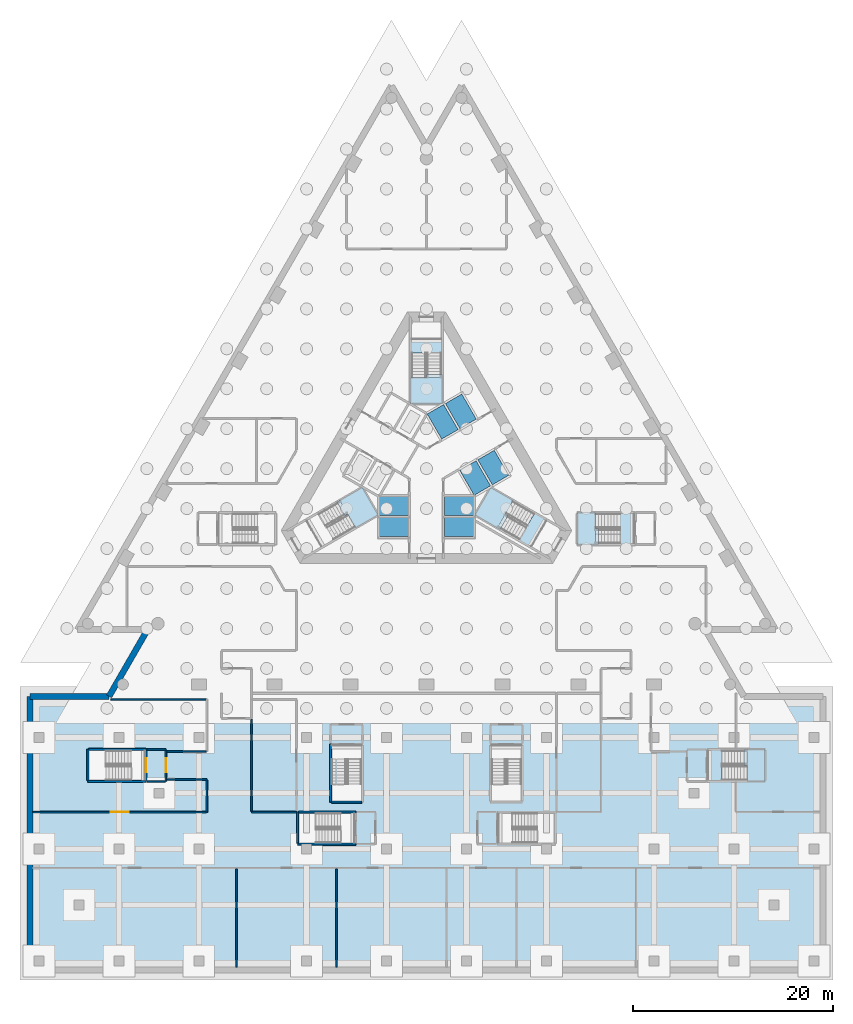
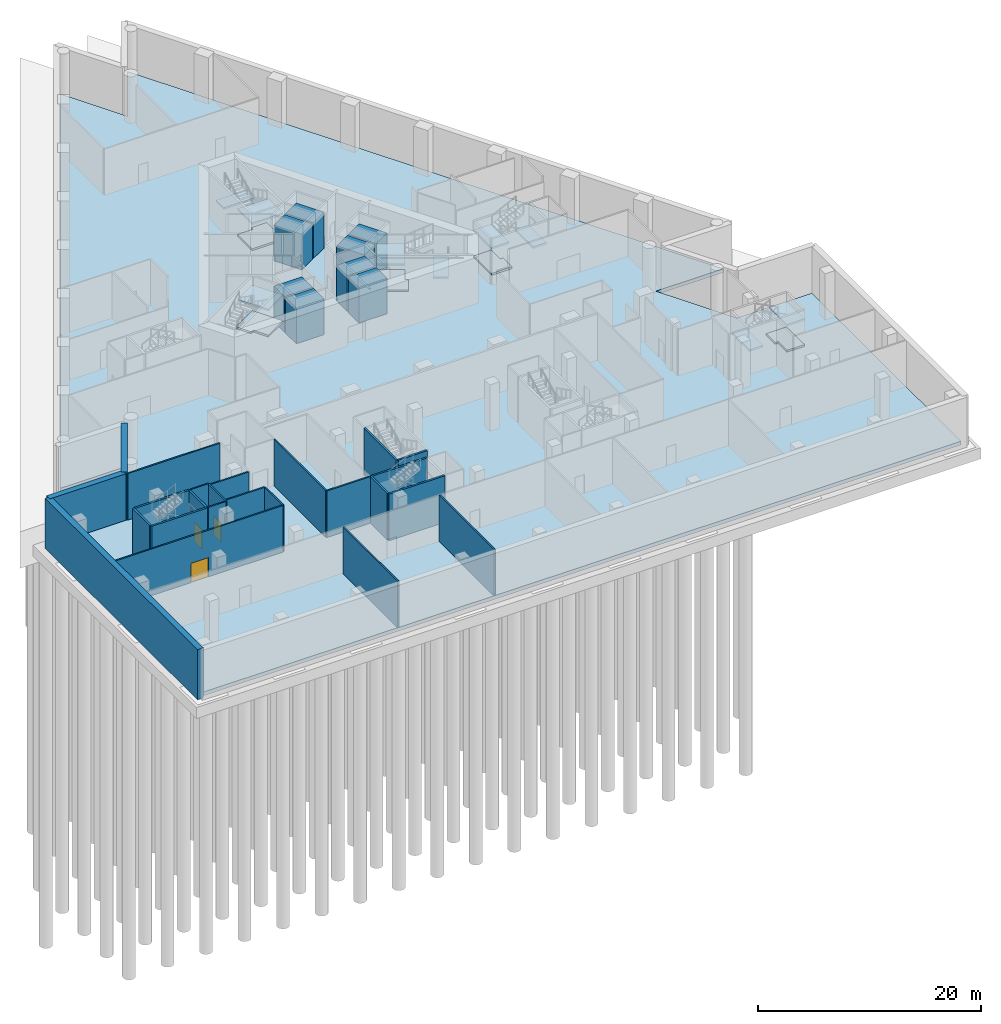
# One storey, part 3 of 20: 24 walls, 23 slabs, 3 doors, 3 openings, 5 elements without a shape of their own.
"""IFC4 building model written with IfcOpenShell, lengths in metres."""

from ifc_helpers import new_model, si_unit, direction, frame, frame_2d, origin, place, context, subcontext, project, spatial, polyline, rectangle, outline, extrude, material, layer, layer_set, type_object, element, fill, aggregate, save


model = new_model("IFC4")

# Units and contexts
model_context = context("Model", 3, precision=1e-05, world=origin(), true_north=direction((0.0, 1.0)))
body_context = subcontext(model_context, "Body", "Model", "MODEL_VIEW")
ifc_project = project(units=[si_unit("LENGTHUNIT", "METRE"), si_unit("AREAUNIT", "SQUARE_METRE"), si_unit("VOLUMEUNIT", "CUBIC_METRE"), si_unit("PLANEANGLEUNIT", "RADIAN"), si_unit("MASSUNIT", "GRAM", prefix="KILO")], contexts=[model_context])

# Site, building, storey
site_placement = place(None, origin())
site = spatial("IfcSite", under=ifc_project, at=site_placement, CompositionType="ELEMENT")
building_placement = place(site_placement, origin())
building = spatial("IfcBuilding", under=site, at=building_placement, Name="Triada Interchange Tower", CompositionType="ELEMENT")
storey_placement = place(building_placement, frame((0.0, 0.0, -5.5)))
storey = spatial("IfcBuildingStorey", under=building, at=storey_placement, Name="B1", CompositionType="ELEMENT", Elevation=-5.5)

# Slabs
ifc_material_1 = material(Name="Concrete C30/37", Category="concrete")
ifc_layer_1 = layer(ifc_material_1, 0.39990234375)
ifc_layer_set_1 = layer_set([ifc_layer_1], Name="Base slab 400")
slab_type_1 = type_object("IfcSlabType", Name="Base slab 400", PredefinedType="BASESLAB", material=ifc_layer_set_1)
slab_1_placement = place(storey_placement, frame((0.0, 0.0, -0.39990234375)))
element("IfcSlab", 1, at=slab_1_placement, inside=storey, type_object=slab_type_1, Name="Basement slab", PredefinedType="BASESLAB", context=body_context, shape_type="SweptSolid", body=[
    extrude(outline(polyline([(39.39990234375, -49.89990234375), (39.39990234375, -23.10009765625), (31.610107421875, -23.10009765625), (27.409912109375, -15.824951171875), (34.425048828125, -15.824951171875), (3.507080078125, 37.72509765625), (0.0, 31.64990234375), (-3.507080078125, 37.72509765625), (-34.425048828125, -15.824951171875), (-27.409912109375, -15.824951171875), (-31.610107421875, -23.10009765625), (-39.39990234375, -23.10009765625), (-39.39990234375, -49.89990234375), (39.39990234375, -49.89990234375)])), origin(), (0.0, 0.0, 1.0), 0.39990234375),
])
ifc_layer_2 = layer(ifc_material_1, 0.300048828125)
ifc_layer_set_2 = layer_set([ifc_layer_2], Name="LIFT PIT SLAB 300")
slab_type_2 = type_object("IfcSlabType", Name="LIFT PIT SLAB 300", PredefinedType="BASESLAB", material=ifc_layer_set_2)
slab_2_placement = place(storey_placement, origin())
element("IfcSlab", 2, at=slab_2_placement, inside=storey, type_object=slab_type_2, Name="Lift pit slab LR1", PredefinedType="BASESLAB", context=body_context, shape_type="SweptSolid", body=[
    extrude(outline(polyline([(4.699951171875, -4.699951171875), (1.800048828125, -4.699951171875), (1.800048828125, -4.10107421875), (1.800048828125, -2.800048828125), (4.699951171875, -2.800048828125), (4.699951171875, -4.699951171875)])), origin(), (0.0, 0.0, 1.0), 3.89990234375),
])
slab_3_placement = place(storey_placement, origin())
element("IfcSlab", 3, at=slab_3_placement, inside=storey, type_object=slab_type_2, Name="Lift pit slab LR2", PredefinedType="BASESLAB", context=body_context, shape_type="SweptSolid", body=[
    extrude(outline(polyline([(4.699951171875, -6.800048828125), (1.800048828125, -6.800048828125), (1.800048828125, -4.89990234375), (4.699951171875, -4.89990234375), (4.699951171875, -6.800048828125)])), origin(), (0.0, 0.0, 1.0), 3.89990234375),
])
slab_4_placement = place(storey_placement, origin())
element("IfcSlab", 4, at=slab_4_placement, inside=storey, type_object=slab_type_2, Name="Lift pit slab LR3", PredefinedType="BASESLAB", context=body_context, shape_type="SweptSolid", body=[
    extrude(outline(polyline([(-1.800048828125, -4.10107421875), (-1.800048828125, -4.699951171875), (-4.699951171875, -4.699951171875), (-4.699951171875, -2.800048828125), (-1.800048828125, -2.800048828125), (-1.800048828125, -4.10107421875)])), origin(), (0.0, 0.0, 1.0), 3.89990234375),
])
slab_5_placement = place(storey_placement, origin())
element("IfcSlab", 5, at=slab_5_placement, inside=storey, type_object=slab_type_2, Name="Lift pit slab LR4", PredefinedType="BASESLAB", context=body_context, shape_type="SweptSolid", body=[
    extrude(outline(polyline([(-1.800048828125, -6.800048828125), (-4.699951171875, -6.800048828125), (-4.699951171875, -4.89990234375), (-1.800048828125, -4.89990234375), (-1.800048828125, -6.800048828125)])), origin(), (0.0, 0.0, 1.0), 3.89990234375),
])
slab_6_placement = place(storey_placement, origin())
element("IfcSlab", 6, at=slab_6_placement, inside=storey, type_object=slab_type_2, Name="Lift pit slab LR5", PredefinedType="BASESLAB", context=body_context, shape_type="SweptSolid", body=[
    extrude(outline(polyline([(1.719970703125, 6.419921875), (3.169921875, 3.908935546875), (1.708984375, 3.06494140625), (1.52490234375, 2.958984375), (0.074951171875, 5.469970703125), (1.719970703125, 6.419921875)])), origin(), (0.0, 0.0, 1.0), 3.89990234375),
])
slab_7_placement = place(storey_placement, origin())
element("IfcSlab", 7, at=slab_7_placement, inside=storey, type_object=slab_type_2, Name="Lift pit slab LR6", PredefinedType="BASESLAB", context=body_context, shape_type="SweptSolid", body=[
    extrude(outline(polyline([(3.5390625, 7.469970703125), (4.989013671875, 4.958984375), (3.343994140625, 4.009033203125), (1.89404296875, 6.52001953125), (3.5390625, 7.469970703125)])), origin(), (0.0, 0.0, 1.0), 3.89990234375),
])
slab_8_placement = place(storey_placement, origin())
element("IfcSlab", 8, at=slab_8_placement, inside=storey, type_object=slab_type_2, Name="Lift pit slab SH1", PredefinedType="BASESLAB", context=body_context, shape_type="SweptSolid", body=[
    extrude(outline(polyline([(6.419921875, -1.719970703125), (4.77490234375, -2.669921875), (3.324951171875, -0.158935546875), (4.969970703125, 0.791015625), (6.419921875, -1.719970703125)])), origin(), (0.0, 0.0, 1.0), 3.89990234375),
])
slab_9_placement = place(storey_placement, origin())
element("IfcSlab", 9, at=slab_9_placement, inside=storey, type_object=slab_type_2, Name="Lift pit slab SH2", PredefinedType="BASESLAB", context=body_context, shape_type="SweptSolid", body=[
    extrude(outline(polyline([(8.239013671875, -0.669921875), (6.593994140625, -1.6201171875), (5.14404296875, 0.89111328125), (6.7890625, 1.841064453125), (8.239013671875, -0.669921875)])), origin(), (0.0, 0.0, 1.0), 3.89990234375),
])

# Stair, slabs
ifc_material_2 = material(Name="Concrete C35/45", Category="concrete")
stair_type = type_object("IfcStairType", Name="HALF TURN STAIR 1400", PredefinedType="HALF_TURN_STAIR", material=ifc_material_2)
stair_1_placement = place(storey_placement, origin())
stair_1 = element("IfcStair", 10, at=stair_1_placement, inside=storey, type_object=stair_type, Name="Exit stair SB1-1", PredefinedType="HALF_TURN_STAIR")
ifc_layer_3 = layer(ifc_material_2, 0.199951171875)
ifc_layer_set_3 = layer_set([ifc_layer_3], Name="STAIR LANDING 200")
slab_type_3 = type_object("IfcSlabType", Name="STAIR LANDING 200", PredefinedType="LANDING", material=ifc_layer_set_3)
slab_10_placement = place(storey_placement, frame((0.0, 0.0, 1.05712890625)))
slab_10 = element("IfcSlab", 11, at=slab_10_placement, type_object=slab_type_3, Name="SB1-1 landing 1", PredefinedType="LANDING", context=body_context, shape_type="SweptSolid", body=[
    extrude(outline(polyline([(1.60009765625, 6.5), (1.60009765625, 9.429931640625), (0.0, 9.429931640625), (0.0, 9.1201171875), (-1.60009765625, 9.1201171875), (-1.60009765625, 6.5), (1.60009765625, 6.5)])), origin(), (0.0, 0.0, 1.0), 0.199951171875),
])
slab_11_placement = place(storey_placement, frame((0.0, 0.0, 3.885498046875)))
slab_11 = element("IfcSlab", 12, at=slab_11_placement, type_object=slab_type_3, Name="SB1-1 landing 2", PredefinedType="LANDING", context=body_context, shape_type="SweptSolid", body=[
    extrude(outline(polyline([(1.60009765625, 6.5), (1.60009765625, 9.1201171875), (-1.60009765625, 9.1201171875), (-1.60009765625, 6.5), (1.60009765625, 6.5)])), origin(), (0.0, 0.0, 1.0), 0.2001953125),
])
slab_12_placement = place(storey_placement, frame((0.0, 0.0, 2.471435546875)))
slab_12 = element("IfcSlab", 13, at=slab_12_placement, type_object=slab_type_3, Name="SB1-1 landing 3", PredefinedType="LANDING", context=body_context, shape_type="SweptSolid", body=[
    extrude(outline(polyline([(1.60009765625, 11.60009765625), (1.60009765625, 13.0), (-1.60009765625, 13.0), (-1.60009765625, 11.60009765625), (1.60009765625, 11.60009765625)])), origin(), (0.0, 0.0, 1.0), 0.199951171875),
])
aggregate(stair_1, [slab_10, slab_11, slab_12])

stair_2_placement = place(storey_placement, origin())
stair_2 = element("IfcStair", 14, at=stair_2_placement, inside=storey, type_object=stair_type, Name="Exit stair SB1-2", PredefinedType="HALF_TURN_STAIR")
slab_13_placement = place(storey_placement, frame((0.0, 0.0, 1.05712890625)))
slab_13 = element("IfcSlab", 15, at=slab_13_placement, type_object=slab_type_3, Name="SB1-2 landing 1", PredefinedType="LANDING", context=body_context, shape_type="SweptSolid", body=[
    extrude(outline(polyline([(-6.428955078125, -1.864013671875), (-8.967041015625, -3.3291015625), (-8.1669921875, -4.715087890625), (-7.89794921875, -4.56005859375), (-7.097900390625, -5.946044921875), (-4.8291015625, -4.635986328125), (-6.428955078125, -1.864013671875)])), origin(), (0.0, 0.0, 1.0), 0.199951171875),
])
slab_14_placement = place(storey_placement, frame((0.0, 0.0, 3.885498046875)))
slab_14 = element("IfcSlab", 16, at=slab_14_placement, type_object=slab_type_3, Name="SB1-2 landing 2", PredefinedType="LANDING", context=body_context, shape_type="SweptSolid", body=[
    extrude(outline(polyline([(-6.428955078125, -1.864013671875), (-8.697998046875, -3.174072265625), (-7.097900390625, -5.946044921875), (-4.8291015625, -4.635986328125), (-6.428955078125, -1.864013671875)])), origin(), (0.0, 0.0, 1.0), 0.2001953125),
])
aggregate(stair_2, [slab_13, slab_14])

stair_3_placement = place(storey_placement, origin())
stair_3 = element("IfcStair", 17, at=stair_3_placement, inside=storey, type_object=stair_type, Name="Exit stair SB1-3", PredefinedType="HALF_TURN_STAIR")
slab_15_placement = place(storey_placement, frame((0.0, 0.0, 1.05712890625)))
slab_15 = element("IfcSlab", 18, at=slab_15_placement, type_object=slab_type_3, Name="SB1-3 landing 1", PredefinedType="LANDING", context=body_context, shape_type="SweptSolid", body=[
    extrude(outline(polyline([(4.8291015625, -4.635986328125), (7.366943359375, -6.10107421875), (8.1669921875, -4.715087890625), (7.89794921875, -4.56005859375), (8.697998046875, -3.174072265625), (6.428955078125, -1.864013671875), (4.8291015625, -4.635986328125)])), origin(), (0.0, 0.0, 1.0), 0.199951171875),
])
slab_16_placement = place(storey_placement, frame((0.0, 0.0, 3.885498046875)))
slab_16 = element("IfcSlab", 19, at=slab_16_placement, type_object=slab_type_3, Name="SB1-3 landing 2", PredefinedType="LANDING", context=body_context, shape_type="SweptSolid", body=[
    extrude(outline(polyline([(4.8291015625, -4.635986328125), (7.097900390625, -5.946044921875), (8.697998046875, -3.174072265625), (6.428955078125, -1.864013671875), (4.8291015625, -4.635986328125)])), origin(), (0.0, 0.0, 1.0), 0.2001953125),
])
slab_17_placement = place(storey_placement, frame((0.0, 0.0, 2.471435546875)))
slab_17 = element("IfcSlab", 20, at=slab_17_placement, type_object=slab_type_3, Name="SB1-3 landing 3", PredefinedType="LANDING", context=body_context, shape_type="SweptSolid", body=[
    extrude(outline(polyline([(9.24609375, -7.18603515625), (10.4580078125, -7.885986328125), (12.05810546875, -5.114013671875), (10.845947265625, -4.4140625), (9.24609375, -7.18603515625)])), origin(), (0.0, 0.0, 1.0), 0.199951171875),
])
aggregate(stair_3, [slab_15, slab_16, slab_17])

stair_4_placement = place(storey_placement, origin())
stair_4 = element("IfcStair", 21, at=stair_4_placement, inside=storey, type_object=stair_type, Name="Exit stair SB1-7", PredefinedType="HALF_TURN_STAIR")
slab_18_placement = place(storey_placement, frame((0.0, 0.0, 1.05712890625)))
slab_18 = element("IfcSlab", 22, at=slab_18_placement, type_object=slab_type_3, Name="SB1-7 landing 1", PredefinedType="LANDING", context=body_context, shape_type="SweptSolid", body=[
    extrude(outline(polyline([(15.10009765625, -7.60009765625), (17.22998046875, -7.60009765625), (17.22998046875, -6.0), (16.919921875, -6.0), (16.919921875, -4.39990234375), (15.10009765625, -4.39990234375), (15.10009765625, -7.60009765625)])), origin(), (0.0, 0.0, 1.0), 0.199951171875),
])
slab_19_placement = place(storey_placement, frame((0.0, 0.0, 3.885498046875)))
slab_19 = element("IfcSlab", 23, at=slab_19_placement, type_object=slab_type_3, Name="SB1-7 landing 2", PredefinedType="LANDING", context=body_context, shape_type="SweptSolid", body=[
    extrude(outline(polyline([(15.10009765625, -7.60009765625), (16.919921875, -7.60009765625), (16.919921875, -4.39990234375), (15.10009765625, -4.39990234375), (15.10009765625, -7.60009765625)])), origin(), (0.0, 0.0, 1.0), 0.2001953125),
])
slab_20_placement = place(storey_placement, frame((0.0, 0.0, 2.471435546875)))
slab_20 = element("IfcSlab", 24, at=slab_20_placement, type_object=slab_type_3, Name="SB1-7 landing 3", PredefinedType="LANDING", context=body_context, shape_type="SweptSolid", body=[
    extrude(outline(polyline([(19.39990234375, -7.60009765625), (20.800048828125, -7.60009765625), (20.800048828125, -4.39990234375), (19.39990234375, -4.39990234375), (19.39990234375, -7.60009765625)])), origin(), (0.0, 0.0, 1.0), 0.199951171875),
])
aggregate(stair_4, [slab_18, slab_19, slab_20])

stair_5_placement = place(storey_placement, origin())
stair_5 = element("IfcStair", 25, at=stair_5_placement, inside=storey, type_object=stair_type, Name="Exit stair SB1-9", PredefinedType="HALF_TURN_STAIR")
slab_21_placement = place(storey_placement, frame((0.0, 0.0, 1.05712890625)))
slab_21 = element("IfcSlab", 26, at=slab_21_placement, type_object=slab_type_3, Name="SB1-9 landing 1", PredefinedType="LANDING", context=body_context, shape_type="SweptSolid", body=[
    extrude(outline(polyline([(33.89990234375, -28.10009765625), (31.77001953125, -28.10009765625), (31.77001953125, -29.699951171875), (32.080078125, -29.699951171875), (32.080078125, -31.300048828125), (33.89990234375, -31.300048828125), (33.89990234375, -28.10009765625)])), origin(), (0.0, 0.0, 1.0), 0.199951171875),
])
slab_22_placement = place(storey_placement, frame((0.0, 0.0, 3.885498046875)))
slab_22 = element("IfcSlab", 27, at=slab_22_placement, type_object=slab_type_3, Name="SB1-9 landing 2", PredefinedType="LANDING", context=body_context, shape_type="SweptSolid", body=[
    extrude(outline(polyline([(33.89990234375, -28.10009765625), (32.080078125, -28.10009765625), (32.080078125, -31.300048828125), (33.89990234375, -31.300048828125), (33.89990234375, -28.10009765625)])), origin(), (0.0, 0.0, 1.0), 0.2001953125),
])
slab_23_placement = place(storey_placement, frame((0.0, 0.0, 2.471435546875)))
slab_23 = element("IfcSlab", 28, at=slab_23_placement, type_object=slab_type_3, Name="SB1-9 landing 3", PredefinedType="LANDING", context=body_context, shape_type="SweptSolid", body=[
    extrude(outline(polyline([(29.60009765625, -28.10009765625), (28.199951171875, -28.10009765625), (28.199951171875, -31.300048828125), (29.60009765625, -31.300048828125), (29.60009765625, -28.10009765625)])), origin(), (0.0, 0.0, 1.0), 0.199951171875),
])
aggregate(stair_5, [slab_21, slab_22, slab_23])

# Walls
ifc_layer_4 = layer(ifc_material_1, 0.60009765625)
ifc_layer_set_4 = layer_set([ifc_layer_4], Name="Basement retaining wall 600")
wall_type_1 = type_object("IfcWallType", Name="Basement retaining wall 600", PredefinedType="SOLIDWALL", material=ifc_layer_set_4)
wall_1_placement = place(storey_placement, frame((-27.928955078125, -16.125, -0.39990234375), z_axis=(0.0, 0.0, 1.0), x_axis=(-0.500015828289, -0.866016265125, 0.0)))
element("IfcWall", 29, at=wall_1_placement, inside=storey, type_object=wall_type_1, Name="Retaining wall 10", PredefinedType="SOLIDWALL", context=body_context, shape_type="SweptSolid", body=[
    extrude(rectangle(XDim=7.707763671875, YDim=0.60009765625, at=frame_2d((3.85400390625, 0.0))), origin(), (0.0, 0.0, 1.0), 5.5),
])
wall_2_placement = place(storey_placement, frame((-31.782958984375, -22.800048828125, -0.39990234375), z_axis=(0.0, 0.0, 1.0), x_axis=(-1.0, 0.0, 0.0)))
element("IfcWall", 30, at=wall_2_placement, inside=storey, type_object=wall_type_1, Name="Retaining wall 11", PredefinedType="SOLIDWALL", context=body_context, shape_type="SweptSolid", body=[
    extrude(rectangle(XDim=7.9169921875, YDim=0.60009765625, at=frame_2d((3.95849609375, 0.0))), origin(), (0.0, 0.0, 1.0), 5.5),
])
wall_3_placement = place(storey_placement, frame((-39.699951171875, -22.800048828125, -0.39990234375), z_axis=(0.0, 0.0, 1.0), x_axis=(0.0, -1.0, 0.0)))
element("IfcWall", 31, at=wall_3_placement, inside=storey, type_object=wall_type_1, Name="Retaining wall 12", PredefinedType="SOLIDWALL", context=body_context, shape_type="SweptSolid", body=[
    extrude(rectangle(XDim=27.39990234375, YDim=0.60009765625, at=frame_2d((13.699951171875, 0.0))), origin(), (0.0, 0.0, 1.0), 5.5),
])
ifc_layer_5 = layer(ifc_material_1, 0.199951171875)
ifc_layer_set_5 = layer_set([ifc_layer_5], Name="CORE WALL 200 REI 240")
wall_type_2 = type_object("IfcWallType", Name="CORE WALL 200 REI 240", PredefinedType="SOLIDWALL", material=ifc_layer_set_5)
wall_4_placement = place(storey_placement, frame((-33.89990234375, -31.300048828125, 0.0), z_axis=(0.0, 0.0, 1.0), x_axis=(1.0, 0.0, 0.0)))
element("IfcWall", 32, at=wall_4_placement, inside=storey, type_object=wall_type_2, Name="Wall B1 126", PredefinedType="SOLIDWALL", context=body_context, shape_type="SweptSolid", body=[
    extrude(rectangle(XDim=5.7978515625, YDim=0.199951171875, at=frame_2d((2.89892578125, 0.0))), origin(), (0.0, 0.0, 1.0), 5.10009765625),
])
wall_5_placement = place(storey_placement, frame((-33.89990234375, -31.199951171875, 0.0), z_axis=(0.0, 0.0, 1.0), x_axis=(0.0, 1.0, 0.0)))
element("IfcWall", 33, at=wall_5_placement, inside=storey, type_object=wall_type_2, Name="Wall B1 128", PredefinedType="SOLIDWALL", context=body_context, shape_type="SweptSolid", body=[
    extrude(rectangle(XDim=3.099853515625, YDim=0.199951171875, at=frame_2d((1.5498046875, 0.0))), origin(), (0.0, 0.0, 1.0), 5.10009765625),
])
wall_6_placement = place(storey_placement, frame((-33.800048828125, -28.10009765625, 0.0), z_axis=(0.0, 0.0, 1.0), x_axis=(1.0, 0.0, 0.0)))
element("IfcWall", 34, at=wall_6_placement, inside=storey, type_object=wall_type_2, Name="Wall B1 129", PredefinedType="SOLIDWALL", context=body_context, shape_type="SweptSolid", body=[
    extrude(rectangle(XDim=5.699951171875, YDim=0.199951171875, at=frame_2d((2.85009765625, 0.0))), origin(), (0.0, 0.0, 1.0), 5.10009765625),
])

# Wall, opening, door
wall_7_placement = place(storey_placement, frame((-28.10009765625, -31.199951171875, 0.0), z_axis=(0.0, 0.0, 1.0), x_axis=(0.0, 1.0, 0.0)))
wall_7 = element("IfcWall", 35, at=wall_7_placement, inside=storey, type_object=wall_type_2, Name="Wall B1 131", PredefinedType="SOLIDWALL", context=body_context, shape_type="SweptSolid", body=[
    extrude(rectangle(XDim=3.0, YDim=0.199951171875, at=frame_2d((1.5, 0.0))), origin(), (0.0, 0.0, 1.0), 5.10009765625),
])
opening_1_placement = place(wall_7_placement, frame((0.800048828125, 0.0, 0.0)))
opening_1 = element("IfcOpeningElement", 36, at=opening_1_placement, cuts=wall_7, Name="Opening D1-17", PredefinedType="OPENING", context=body_context, shape_type="SweptSolid", body=[
    extrude(rectangle(XDim=1.39990234375, YDim=2.10009765625, at=frame_2d((0.699951171875, 1.050048828125))), frame((0.0, 0.10986328125, 0.0), z_axis=(0.0, -1.0, 0.0), x_axis=(1.0, 0.0, 0.0)), (0.0, 0.0, 1.0), 0.219970703125),
])
ifc_material_3 = material(Name="Steel S235 door leaf", Category="steel")
door_type_1 = type_object("IfcDoorType", Name="STAIR DOOR 1400 EI2 90-C5S200", OperationType="DOUBLE_DOOR_SINGLE_SWING", PredefinedType="DOOR", material=ifc_material_3)
door_1_placement = place(opening_1_placement, origin())
door_1 = element("IfcDoor", 37, at=door_1_placement, inside=storey, type_object=door_type_1, Name="Door D1-17 B1", OperationType="DOUBLE_DOOR_SINGLE_SWING", OverallHeight=2.10009765625, OverallWidth=1.39990234375, PredefinedType="DOOR", context=body_context, shape_type="SweptSolid", body=[
    extrude(rectangle(XDim=1.39990234375, YDim=2.10009765625, at=frame_2d((0.699951171875, 1.050048828125))), frame((0.0, 0.02490234375, 0.0), z_axis=(0.0, -1.0, 0.0), x_axis=(1.0, 0.0, 0.0)), (0.0, 0.0, 1.0), 0.050048828125),
])
fill(opening_1, door_1)

# Walls
wall_8_placement = place(storey_placement, frame((-9.60009765625, -33.39990234375, 0.0), z_axis=(0.0, 0.0, 1.0), x_axis=(0.0, 1.0, 0.0)))
element("IfcWall", 38, at=wall_8_placement, inside=storey, type_object=wall_type_2, Name="Wall B1 138", PredefinedType="SOLIDWALL", context=body_context, shape_type="SweptSolid", body=[
    extrude(rectangle(XDim=5.7998046875, YDim=0.199951171875, at=frame_2d((2.89990234375, 0.0))), origin(), (0.0, 0.0, 1.0), 5.10009765625),
])
wall_9_placement = place(storey_placement, frame((-9.5, -33.39990234375, 0.0), z_axis=(0.0, 0.0, 1.0), x_axis=(1.0, 0.0, 0.0)))
element("IfcWall", 39, at=wall_9_placement, inside=storey, type_object=wall_type_2, Name="Wall B1 142", PredefinedType="SOLIDWALL", context=body_context, shape_type="SweptSolid", body=[
    extrude(rectangle(XDim=3.0, YDim=0.199951171875, at=frame_2d((1.5, 0.0))), origin(), (0.0, 0.0, 1.0), 5.10009765625),
])
wall_10_placement = place(storey_placement, frame((-12.89990234375, -37.60009765625, 0.0), z_axis=(0.0, 0.0, 1.0), x_axis=(1.0, 0.0, 0.0)))
element("IfcWall", 40, at=wall_10_placement, inside=storey, type_object=wall_type_2, Name="Wall B1 144", PredefinedType="SOLIDWALL", context=body_context, shape_type="SweptSolid", body=[
    extrude(rectangle(XDim=5.7978515625, YDim=0.199951171875, at=frame_2d((2.89892578125, 0.0))), origin(), (0.0, 0.0, 1.0), 5.10009765625),
])
wall_11_placement = place(storey_placement, frame((-12.89990234375, -37.5, 0.0), z_axis=(0.0, 0.0, 1.0), x_axis=(0.0, 1.0, 0.0)))
element("IfcWall", 41, at=wall_11_placement, inside=storey, type_object=wall_type_2, Name="Wall B1 146", PredefinedType="SOLIDWALL", context=body_context, shape_type="SweptSolid", body=[
    extrude(rectangle(XDim=3.10009765625, YDim=0.199951171875, at=frame_2d((1.550048828125, 0.0))), origin(), (0.0, 0.0, 1.0), 5.10009765625),
])
wall_12_placement = place(storey_placement, frame((-12.800048828125, -34.39990234375, 0.0), z_axis=(0.0, 0.0, 1.0), x_axis=(1.0, 0.0, 0.0)))
element("IfcWall", 42, at=wall_12_placement, inside=storey, type_object=wall_type_2, Name="Wall B1 147", PredefinedType="SOLIDWALL", context=body_context, shape_type="SweptSolid", body=[
    extrude(rectangle(XDim=5.699951171875, YDim=0.199951171875, at=frame_2d((2.85009765625, 0.0))), origin(), (0.0, 0.0, 1.0), 5.10009765625),
])
ifc_material_4 = material(Name="Gypsum board partition")
ifc_layer_6 = layer(ifc_material_4, 0.14990234375)
ifc_layer_set_6 = layer_set([ifc_layer_6], Name="PARTITION 150 EI 180")
wall_type_3 = type_object("IfcWallType", Name="PARTITION 150 EI 180", PredefinedType="PARTITIONING", material=ifc_layer_set_6)
wall_13_placement = place(storey_placement, frame((-28.0, -28.10009765625, 0.0), z_axis=(0.0, 0.0, 1.0), x_axis=(1.0, 0.0, 0.0)))
element("IfcWall", 43, at=wall_13_placement, inside=storey, type_object=wall_type_3, Name="Wall B1 2", PredefinedType="PARTITIONING", context=body_context, shape_type="SweptSolid", body=[
    extrude(rectangle(XDim=1.89990234375, YDim=0.14990234375, at=frame_2d((0.949951171875, 0.0))), origin(), (0.0, 0.0, 1.0), 5.10009765625),
])

# Wall, opening, door
wall_14_placement = place(storey_placement, frame((-26.10009765625, -31.300048828125, 0.0), z_axis=(0.0, 0.0, 1.0), x_axis=(0.0, 1.0, 0.0)))
wall_14 = element("IfcWall", 44, at=wall_14_placement, inside=storey, type_object=wall_type_3, Name="Wall B1 4", PredefinedType="PARTITIONING", context=body_context, shape_type="SweptSolid", body=[
    extrude(rectangle(XDim=3.125, YDim=0.14990234375, at=frame_2d((1.5625, 0.0))), origin(), (0.0, 0.0, 1.0), 5.10009765625),
])
opening_2_placement = place(wall_14_placement, frame((0.89990234375, 0.0, 0.0)))
opening_2 = element("IfcOpeningElement", 45, at=opening_2_placement, cuts=wall_14, Name="Opening D1-18", PredefinedType="OPENING", context=body_context, shape_type="SweptSolid", body=[
    extrude(rectangle(XDim=1.39990234375, YDim=2.10009765625, at=frame_2d((0.699951171875, 1.050048828125))), frame((0.0, 0.0849609375, 0.0), z_axis=(0.0, -1.0, 0.0), x_axis=(1.0, 0.0, 0.0)), (0.0, 0.0, 1.0), 0.169921875),
])
door_2_placement = place(opening_2_placement, origin())
door_2 = element("IfcDoor", 46, at=door_2_placement, inside=storey, type_object=door_type_1, Name="Door D1-18 B1", OperationType="DOUBLE_DOOR_SINGLE_SWING", OverallHeight=2.10009765625, OverallWidth=1.39990234375, PredefinedType="DOOR", context=body_context, shape_type="SweptSolid", body=[
    extrude(rectangle(XDim=1.39990234375, YDim=2.10009765625, at=frame_2d((0.699951171875, 1.050048828125))), frame((0.0, 0.02490234375, 0.0), z_axis=(0.0, -1.0, 0.0), x_axis=(1.0, 0.0, 0.0)), (0.0, 0.0, 1.0), 0.050048828125),
])
fill(opening_2, door_2)

# Walls
wall_15_placement = place(storey_placement, frame((-28.0, -31.300048828125, 0.0), z_axis=(0.0, 0.0, 1.0), x_axis=(1.0, 0.0, 0.0)))
element("IfcWall", 47, at=wall_15_placement, inside=storey, type_object=wall_type_3, Name="Wall B1 5", PredefinedType="PARTITIONING", context=body_context, shape_type="SweptSolid", body=[
    extrude(rectangle(XDim=1.824951171875, YDim=0.14990234375, at=frame_2d((0.91259765625, 0.0))), origin(), (0.0, 0.0, 1.0), 5.10009765625),
])
for number, where, z_axis, x_axis, name in (
    (48, (-19.0, -49.89990234375, 0.0), (0.0, 0.0, 1.0), (0.0, 1.0, 0.0), "Wall B1 12"),
    (49, (-9.0, -49.89990234375, 0.0), (0.0, 0.0, 1.0), (0.0, 1.0, 0.0), "Wall B1 17"),
):
    element("IfcWall", number, at=place(storey_placement, frame(where, z_axis=z_axis, x_axis=x_axis)), inside=storey, type_object=wall_type_3, Name=name, PredefinedType="PARTITIONING", context=body_context, shape_type="SweptSolid", body=[
        extrude(rectangle(XDim=9.824951171875, YDim=0.14990234375, at=frame_2d((4.91259765625, 0.0))), origin(), (0.0, 0.0, 1.0), 5.10009765625),
    ])
ifc_layer_7 = layer(ifc_material_4, 0.14990234375)
ifc_layer_set_7 = layer_set([ifc_layer_7], Name="PARTITION 150 EI 90")
wall_type_4 = type_object("IfcWallType", Name="PARTITION 150 EI 90", PredefinedType="PARTITIONING", material=ifc_layer_set_7)
wall_16_placement = place(storey_placement, frame((-26.02490234375, -31.10009765625, 0.0), z_axis=(0.0, 0.0, 1.0), x_axis=(1.0, 0.0, 0.0)))
element("IfcWall", 50, at=wall_16_placement, inside=storey, type_object=wall_type_4, Name="Wall B1 48", PredefinedType="PARTITIONING", context=body_context, shape_type="SweptSolid", body=[
    extrude(rectangle(XDim=4.02490234375, YDim=0.14990234375, at=frame_2d((2.012451171875, 0.0))), origin(), (0.0, 0.0, 1.0), 5.10009765625),
])
wall_17_placement = place(storey_placement, frame((-22.0, -34.39990234375, 0.0), z_axis=(0.0, 0.0, 1.0), x_axis=(0.0, 1.0, 0.0)))
element("IfcWall", 51, at=wall_17_placement, inside=storey, type_object=wall_type_4, Name="Wall B1 49", PredefinedType="PARTITIONING", context=body_context, shape_type="SweptSolid", body=[
    extrude(rectangle(XDim=3.224853515625, YDim=0.14990234375, at=frame_2d((1.6123046875, 0.0))), origin(), (0.0, 0.0, 1.0), 5.10009765625),
])

# Wall, opening, door
wall_18_placement = place(storey_placement, frame((-39.39990234375, -34.39990234375, 0.0), z_axis=(0.0, 0.0, 1.0), x_axis=(1.0, 0.0, 0.0)))
wall_18 = element("IfcWall", 52, at=wall_18_placement, inside=storey, type_object=wall_type_4, Name="Wall B1 51", PredefinedType="PARTITIONING", context=body_context, shape_type="SweptSolid", body=[
    extrude(rectangle(XDim=17.324951171875, YDim=0.14990234375, at=frame_2d((8.66259765625, 0.0))), origin(), (0.0, 0.0, 1.0), 5.10009765625),
])
opening_3_placement = place(wall_18_placement, frame((7.800048828125, 0.0, 0.0)))
opening_3 = element("IfcOpeningElement", 53, at=opening_3_placement, cuts=wall_18, Name="Opening D1-31", PredefinedType="OPENING", context=body_context, shape_type="SweptSolid", body=[
    extrude(rectangle(XDim=1.800048828125, YDim=2.10009765625, at=frame_2d((0.89990234375, 1.050048828125))), frame((0.0, 0.0849609375, 0.0), z_axis=(0.0, -1.0, 0.0), x_axis=(1.0, 0.0, 0.0)), (0.0, 0.0, 1.0), 0.169921875),
])
door_type_2 = type_object("IfcDoorType", Name="SHOP AND HALL ENTRANCE DOOR 1800 EI2 45-C5S200", OperationType="DOUBLE_DOOR_SINGLE_SWING", PredefinedType="DOOR", material=ifc_material_3)
door_3_placement = place(opening_3_placement, origin())
door_3 = element("IfcDoor", 54, at=door_3_placement, inside=storey, type_object=door_type_2, Name="Door D1-31 B1", OperationType="DOUBLE_DOOR_SINGLE_SWING", OverallHeight=2.10009765625, OverallWidth=1.800048828125, PredefinedType="DOOR", context=body_context, shape_type="SweptSolid", body=[
    extrude(rectangle(XDim=1.800048828125, YDim=2.10009765625, at=frame_2d((0.89990234375, 1.050048828125))), frame((0.0, 0.02490234375, 0.0), z_axis=(0.0, -1.0, 0.0), x_axis=(1.0, 0.0, 0.0)), (0.0, 0.0, 1.0), 0.050048828125),
])
fill(opening_3, door_3)

# Walls
wall_19_placement = place(storey_placement, frame((-17.5, -34.39990234375, 0.0), z_axis=(0.0, 0.0, 1.0), x_axis=(1.0, 0.0, 0.0)))
element("IfcWall", 55, at=wall_19_placement, inside=storey, type_object=wall_type_4, Name="Wall B1 52", PredefinedType="PARTITIONING", context=body_context, shape_type="SweptSolid", body=[
    extrude(rectangle(XDim=4.5, YDim=0.14990234375, at=frame_2d((2.25, 0.0))), origin(), (0.0, 0.0, 1.0), 5.10009765625),
])
wall_20_placement = place(storey_placement, frame((-31.612060546875, -23.10009765625, 0.0), z_axis=(0.0, 0.0, 1.0), x_axis=(1.0, 0.0, 0.0)))
element("IfcWall", 56, at=wall_20_placement, inside=storey, type_object=wall_type_4, Name="Wall B1 53", PredefinedType="PARTITIONING", context=body_context, shape_type="SweptSolid", body=[
    extrude(rectangle(XDim=9.537109375, YDim=0.14990234375, at=frame_2d((4.7685546875, 0.0))), origin(), (0.0, 0.0, 1.0), 5.10009765625),
])
wall_21_placement = place(storey_placement, frame((-26.02490234375, -28.300048828125, 0.0), z_axis=(0.0, 0.0, 1.0), x_axis=(1.0, 0.0, 0.0)))
element("IfcWall", 57, at=wall_21_placement, inside=storey, type_object=wall_type_4, Name="Wall B1 55", PredefinedType="PARTITIONING", context=body_context, shape_type="SweptSolid", body=[
    extrude(rectangle(XDim=3.949951171875, YDim=0.14990234375, at=frame_2d((1.97509765625, 0.0))), origin(), (0.0, 0.0, 1.0), 5.10009765625),
])
wall_22_placement = place(storey_placement, frame((-17.5, -34.324951171875, 0.0), z_axis=(0.0, 0.0, 1.0), x_axis=(0.0, 1.0, 0.0)))
element("IfcWall", 58, at=wall_22_placement, inside=storey, type_object=wall_type_4, Name="Wall B1 72", PredefinedType="PARTITIONING", context=body_context, shape_type="SweptSolid", body=[
    extrude(rectangle(XDim=9.251953125, YDim=0.14990234375, at=frame_2d((4.6259765625, 0.0))), origin(), (0.0, 0.0, 1.0), 5.10009765625),
])

save(model, "model.ifc")
